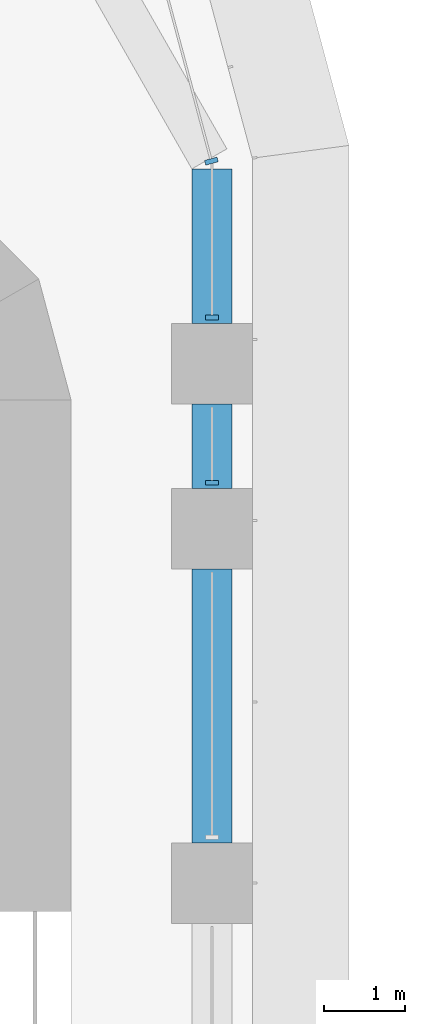
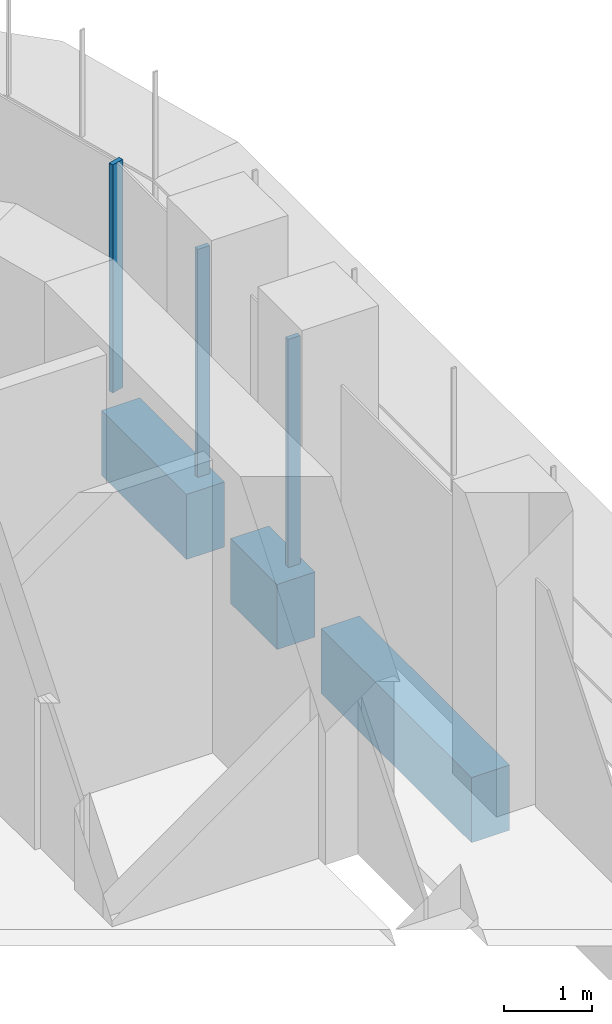
# One storey, part 10 of 23: 3 beams, 3 members, 2 elements without a shape of their own.
"""IFC4 building model written with IfcOpenShell, lengths in metres."""

from ifc_helpers import new_model, si_unit, direction, frame, origin, origin_2d, place, context, subcontext, project, spatial, polyline, rectangle, outline, extrude, source, transform, mapped, material, material_profile, profile_set, type_object, element, aggregate, save


model = new_model("IFC4")

# Units and contexts
model_context = context("Model", 3, precision=1e-05, world=origin(), true_north=direction((0.0, 1.0)))
body_context = subcontext(model_context, "Body", "Model", "MODEL_VIEW")
ifc_project = project(units=[si_unit("LENGTHUNIT", "METRE"), si_unit("AREAUNIT", "SQUARE_METRE"), si_unit("VOLUMEUNIT", "CUBIC_METRE"), si_unit("PLANEANGLEUNIT", "RADIAN"), si_unit("MASSUNIT", "GRAM", prefix="KILO")], contexts=[model_context])

# Site, building, storey
site_placement = place(None, origin())
site = spatial("IfcSite", under=ifc_project, at=site_placement, CompositionType="ELEMENT")
building_placement = place(site_placement, origin())
building = spatial("IfcBuilding", under=site, at=building_placement, Name="Zarbagh Exchange Tower", CompositionType="ELEMENT")
storey_placement = place(building_placement, frame((0.0, 0.0, 39.60009765625)))
storey = spatial("IfcBuildingStorey", under=building, at=storey_placement, Name="L08", CompositionType="ELEMENT", Elevation=39.60009765625)

# Beams
ifc_material_1 = material(Name="Concrete C60/75", Category="concrete")
ifc_material_profile = material_profile(ifc_material_1, rectangle(XDim=0.5, YDim=0.89990234375, at=origin_2d()), Name="RC spandrel beam 500 x 900 C60/75")
ifc_profile_set = profile_set([ifc_material_profile], Name="Concrete C60/75")
beam_type = type_object("IfcBeamType", Name="RC spandrel beam 500 x 900 C60/75", PredefinedType="SPANDREL", material=ifc_profile_set)
beam_1_placement = place(storey_placement, frame((6.25, 29.117919921875, -0.60009765625), z_axis=(0.0, -1.0, 0.0), x_axis=(1.0, 0.0, 0.0)))
element("IfcBeam", 1, at=beam_1_placement, inside=storey, type_object=beam_type, Name="RC spandrel beam", PredefinedType="SPANDREL", context=body_context, shape_type="SweptSolid", body=[
    extrude(rectangle(XDim=0.5, YDim=0.89990234375, at=origin_2d()), origin(), (0.0, 0.0, 1.0), 1.91796875),
])
beam_2_placement = place(storey_placement, frame((6.25, 26.199951171875, -0.60009765625), z_axis=(0.0, -1.0, 0.0), x_axis=(1.0, 0.0, 0.0)))
element("IfcBeam", 2, at=beam_2_placement, inside=storey, type_object=beam_type, Name="RC spandrel beam", PredefinedType="SPANDREL", context=body_context, shape_type="SweptSolid", body=[
    extrude(rectangle(XDim=0.5, YDim=0.89990234375, at=origin_2d()), origin(), (0.0, 0.0, 1.0), 1.050048828125),
])
beam_3_placement = place(storey_placement, frame((6.25, 24.14990234375, -0.60009765625), z_axis=(0.0, -1.0, 0.0), x_axis=(1.0, 0.0, 0.0)))
element("IfcBeam", 3, at=beam_3_placement, inside=storey, type_object=beam_type, Name="RC spandrel beam", PredefinedType="SPANDREL", context=body_context, shape_type="SweptSolid", body=[
    extrude(rectangle(XDim=0.5, YDim=0.89990234375, at=origin_2d()), origin(), (0.0, 0.0, 1.0), 3.39990234375),
])

# Curtain wall, members
ifc_material_2 = material(Name="Anodised aluminium frame and glazing", Category="aluminium")
curtain_wall_type = type_object("IfcCurtainWallType", Name="CWA Ribbon glazing, lower zones", PredefinedType="NOTDEFINED", material=ifc_material_2)
curtain_wall_1_placement = place(storey_placement, origin())
curtain_wall_1 = element("IfcCurtainWall", 4, at=curtain_wall_1_placement, inside=storey, type_object=curtain_wall_type, Name="CWA20 curtain wall", PredefinedType="NOTDEFINED")
ifc_material_3 = material(Name="Anodised aluminium frame", Category="aluminium")
member_type = type_object("IfcMemberType", Name="MUA Mullion, anodised aluminium frame", PredefinedType="MULLION", material=ifc_material_3)
shared_shape = source(origin(), body_context, "Body", "SweptSolid", [
    extrude(outline(polyline([(0.0, -0.080078125), (0.06005859375, -0.080078125), (0.06005859375, 0.080078125), (0.0, 0.080078125), (0.0, -0.080078125)])), origin(), (0.0, 0.0, 1.0), 3.14990234375),
])
placement = place(storey_placement, origin())
member_1 = element("IfcMember", 5, at=placement, type_object=member_type, Name="CWA20 mullion 4.1", PredefinedType="MULLION", context=body_context, shape_type="MappedRepresentation", body=[
    mapped(shared_shape, transform((6.25, 25.18994140625, 0.0), x_axis=(0.0, 1.0, 0.0), y_axis=(-1.0, 0.0, 0.0), z_axis=(0.0, 0.0, 1.0))),
])
member_2 = element("IfcMember", 6, at=placement, type_object=member_type, Name="CWA20 mullion 5.1", PredefinedType="MULLION", context=body_context, shape_type="MappedRepresentation", body=[
    mapped(shared_shape, transform((6.25, 27.239990234375, 0.0), x_axis=(0.0, 1.0, 0.0), y_axis=(-1.0, 0.0, 0.0), z_axis=(0.0, 0.0, 1.0))),
])
aggregate(curtain_wall_1, [member_1, member_2])

# Curtain wall, member
curtain_wall_2_placement = place(storey_placement, origin())
curtain_wall_2 = element("IfcCurtainWall", 7, at=curtain_wall_2_placement, inside=storey, type_object=curtain_wall_type, Name="CWA21 curtain wall", PredefinedType="NOTDEFINED")
member_3 = element("IfcMember", 8, at=placement, type_object=member_type, Name="CWA21 mullion 1.1", PredefinedType="MULLION", context=body_context, shape_type="MappedRepresentation", body=[
    mapped(shared_shape, transform((6.25, 29.18408203125, 0.0), x_axis=(-0.258824779902, 0.965924289636, 0.0), y_axis=(-0.965924289636, -0.258824779902, 0.0), z_axis=(0.0, 0.0, 1.0))),
])
aggregate(curtain_wall_2, [member_3])

save(model, "model.ifc")
